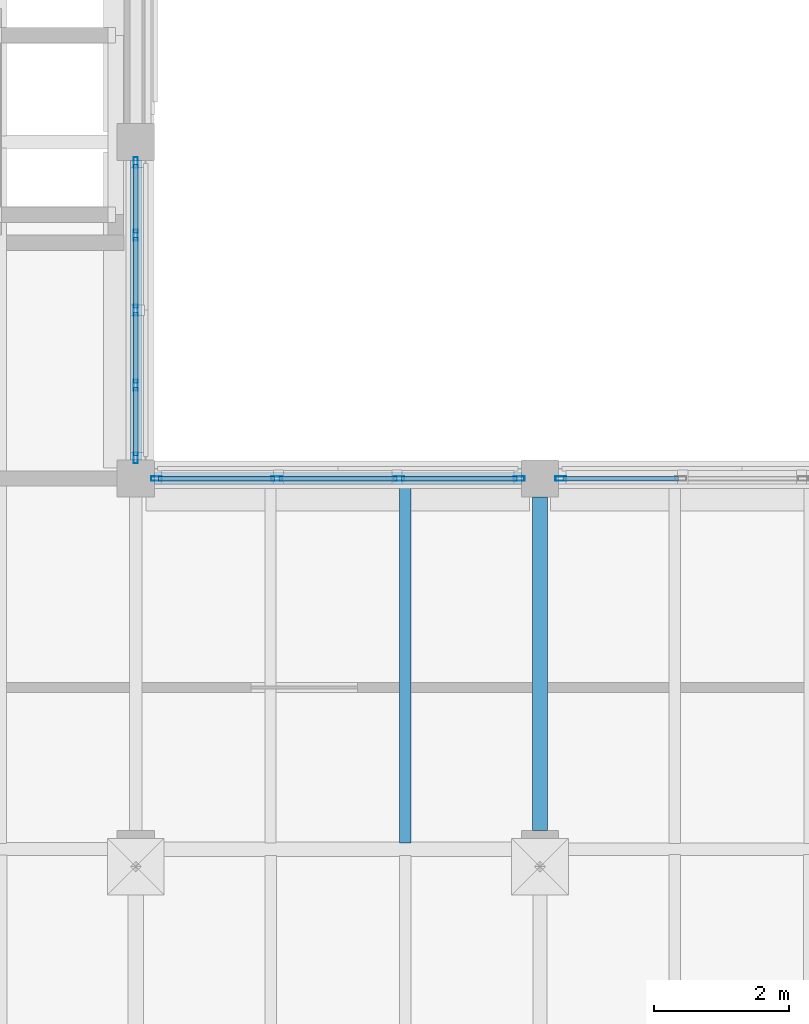
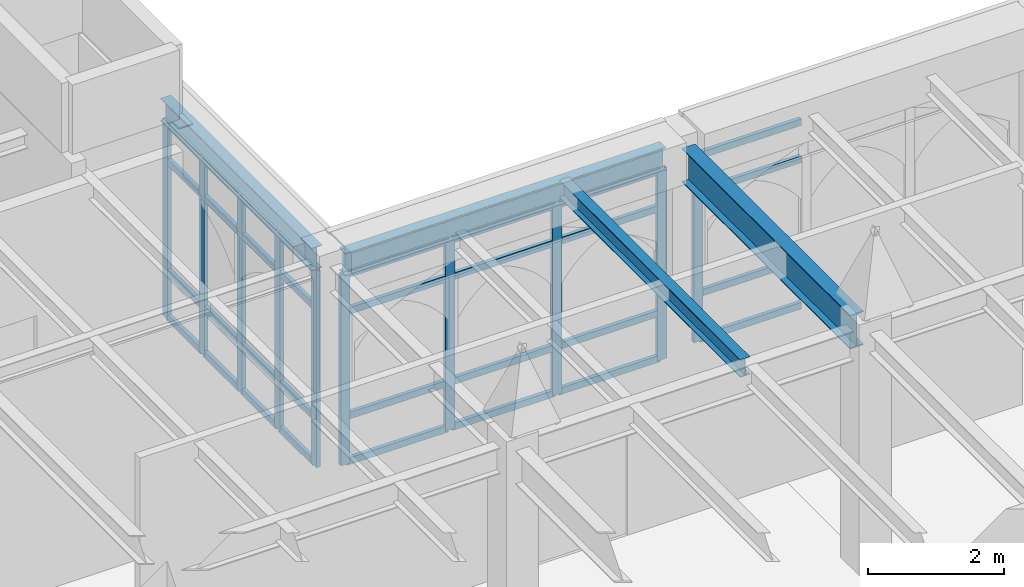
# One storey, part 20 of 108: 42 members, 4 beams, 3 elements without a shape of their own.
"""IFC4 building model written with IfcOpenShell, lengths in metres."""

from ifc_helpers import new_model, si_unit, direction, frame, origin, origin_2d, place, context, subcontext, project, spatial, hollow_rectangle, i_section, extrude, material, layer, layer_set, material_profile, profile_set, type_object, element, aggregate, save


model = new_model("IFC4")

# Units and contexts
model_context = context("Model", 3, precision=1e-05, world=origin(), true_north=direction((0.0, 1.0)))
body_context = subcontext(model_context, "Body", "Model", "MODEL_VIEW")
ifc_project = project(units=[si_unit("LENGTHUNIT", "METRE"), si_unit("AREAUNIT", "SQUARE_METRE"), si_unit("VOLUMEUNIT", "CUBIC_METRE"), si_unit("PLANEANGLEUNIT", "RADIAN"), si_unit("MASSUNIT", "GRAM", prefix="KILO")], contexts=[model_context])

# Site, building, storey
site_placement = place(None, origin())
site = spatial("IfcSite", under=ifc_project, at=site_placement, CompositionType="ELEMENT")
building_placement = place(site_placement, origin())
building = spatial("IfcBuilding", under=site, at=building_placement, Name="Cumevento Cable Car Station", CompositionType="ELEMENT")
storey_placement = place(building_placement, frame((0.0, 0.0, 13.5)))
storey = spatial("IfcBuildingStorey", under=building, at=storey_placement, Name="L04", CompositionType="ELEMENT", Elevation=13.5)

# Curtain wall, members
ifc_material_1 = material(Name="Anodised Bronze Aluminium AW-6063-T6", Category="aluminium")
ifc_layer_1 = layer(ifc_material_1, 0.238037109375)
ifc_layer_set_1 = layer_set([ifc_layer_1], Name="Anodised Bronze Aluminium AW-6063-T6")
curtain_wall_type_1 = type_object("IfcCurtainWallType", Name="Lancet Curtain Wall CW-14 1570", PredefinedType="NOTDEFINED", material=ifc_layer_set_1)
curtain_wall_1_placement = place(storey_placement, origin())
curtain_wall_1 = element("IfcCurtainWall", 1, at=curtain_wall_1_placement, inside=storey, type_object=curtain_wall_type_1, Name="Lancet Curtain Wall CW-14 L04 #157", PredefinedType="NOTDEFINED")
ifc_material_2 = material(Name="Anodised Bronze Aluminium AW-6063-T6", Category="aluminium")
ifc_material_profile_1 = material_profile(ifc_material_2, hollow_rectangle(XDim=0.06494140625, YDim=0.159912109375, WallThickness=0.00390625, at=origin_2d()), Name="ALUM65x160x4")
ifc_profile_set_1 = profile_set([ifc_material_profile_1], Name="Anodised Bronze Aluminium AW-6063-T6")
member_type_1 = type_object("IfcMemberType", Name="Curtain Mullion CWM-01 ALUM65x160x4", PredefinedType="MULLION", material=ifc_profile_set_1)
member_1_placement = place(storey_placement, frame((34.3076171875, 56.5, 0.409912109375), z_axis=(0.0, 0.0, 1.0), x_axis=(0.0, 1.0, 0.0)))
member_1 = element("IfcMember", 2, at=member_1_placement, type_object=member_type_1, Name="CW-14 mullion 1", PredefinedType="MULLION", context=body_context, shape_type="SweptSolid", body=[
    extrude(hollow_rectangle(XDim=0.06494140625, YDim=0.159912109375, WallThickness=0.00390625, at=origin_2d()), origin(), (0.0, 0.0, 1.0), 3.43310546875),
])
member_2_placement = place(storey_placement, frame((36.091552734375, 56.5, 0.409912109375), z_axis=(0.0, 0.0, 1.0), x_axis=(0.0, 1.0, 0.0)))
member_2 = element("IfcMember", 3, at=member_2_placement, type_object=member_type_1, Name="CW-14 mullion 2", PredefinedType="MULLION", context=body_context, shape_type="SweptSolid", body=[
    extrude(hollow_rectangle(XDim=0.06494140625, YDim=0.159912109375, WallThickness=0.00390625, at=origin_2d()), origin(), (0.0, 0.0, 1.0), 3.43310546875),
])
member_3_placement = place(storey_placement, frame((37.908447265625, 56.5, 0.409912109375), z_axis=(0.0, 0.0, 1.0), x_axis=(0.0, 1.0, 0.0)))
member_3 = element("IfcMember", 4, at=member_3_placement, type_object=member_type_1, Name="CW-14 mullion 3", PredefinedType="MULLION", context=body_context, shape_type="SweptSolid", body=[
    extrude(hollow_rectangle(XDim=0.06494140625, YDim=0.159912109375, WallThickness=0.00390625, at=origin_2d()), origin(), (0.0, 0.0, 1.0), 3.43310546875),
])
member_4_placement = place(storey_placement, frame((39.6923828125, 56.5, 0.409912109375), z_axis=(0.0, 0.0, 1.0), x_axis=(0.0, 1.0, 0.0)))
member_4 = element("IfcMember", 5, at=member_4_placement, type_object=member_type_1, Name="CW-14 mullion 4", PredefinedType="MULLION", context=body_context, shape_type="SweptSolid", body=[
    extrude(hollow_rectangle(XDim=0.06494140625, YDim=0.159912109375, WallThickness=0.00390625, at=origin_2d()), origin(), (0.0, 0.0, 1.0), 3.43310546875),
])

# Curtain wall, member
ifc_material_3 = material(Name="Anodised Bronze Aluminium AW-6063-T6", Category="aluminium")
ifc_layer_2 = layer(ifc_material_3, 0.25)
ifc_layer_set_2 = layer_set([ifc_layer_2], Name="Anodised Bronze Aluminium AW-6063-T6")
curtain_wall_type_2 = type_object("IfcCurtainWallType", Name="Lancet Curtain Wall CW-16 1650", PredefinedType="NOTDEFINED", material=ifc_layer_set_2)
curtain_wall_2_placement = place(storey_placement, origin())
curtain_wall_2 = element("IfcCurtainWall", 6, at=curtain_wall_2_placement, inside=storey, type_object=curtain_wall_type_2, Name="Lancet Curtain Wall CW-16 L04 #159", PredefinedType="NOTDEFINED")
member_5_placement = place(storey_placement, frame((40.3076171875, 56.5, 0.52001953125), z_axis=(0.0, 0.0, 1.0), x_axis=(0.0, 1.0, 0.0)))
member_5 = element("IfcMember", 7, at=member_5_placement, type_object=member_type_1, Name="CW-16 mullion 1", PredefinedType="MULLION", context=body_context, shape_type="SweptSolid", body=[
    extrude(hollow_rectangle(XDim=0.06494140625, YDim=0.159912109375, WallThickness=0.00390625, at=origin_2d()), origin(), (0.0, 0.0, 1.0), 3.361083984375),
])

# Curtain wall, members
ifc_material_4 = material(Name="Anodised Bronze Aluminium AW-6063-T6", Category="aluminium")
ifc_layer_3 = layer(ifc_material_4, 0.177978515625)
ifc_layer_set_3 = layer_set([ifc_layer_3], Name="Anodised Bronze Aluminium AW-6063-T6")
curtain_wall_type_3 = type_object("IfcCurtainWallType", Name="Lancet Curtain Wall CW-04 1170", PredefinedType="NOTDEFINED", material=ifc_layer_set_3)
curtain_wall_3_placement = place(storey_placement, origin())
curtain_wall_3 = element("IfcCurtainWall", 8, at=curtain_wall_3_placement, inside=storey, type_object=curtain_wall_type_3, Name="Lancet Curtain Wall CW-04 L04 #163", PredefinedType="NOTDEFINED")
member_6_placement = place(storey_placement, frame((34.0, 61.1923828125, 0.31005859375), z_axis=(0.0, 0.0, 1.0), x_axis=(1.0, 0.0, 0.0)))
member_6 = element("IfcMember", 9, at=member_6_placement, type_object=member_type_1, Name="CW-04 mullion 1", PredefinedType="MULLION", context=body_context, shape_type="SweptSolid", body=[
    extrude(hollow_rectangle(XDim=0.06494140625, YDim=0.159912109375, WallThickness=0.00390625, at=origin_2d()), origin(), (0.0, 0.0, 1.0), 3.532958984375),
])
member_7_placement = place(storey_placement, frame((34.0, 60.112548828125, 0.31005859375), z_axis=(0.0, 0.0, 1.0), x_axis=(1.0, 0.0, 0.0)))
member_7 = element("IfcMember", 10, at=member_7_placement, type_object=member_type_1, Name="CW-04 mullion 2", PredefinedType="MULLION", context=body_context, shape_type="SweptSolid", body=[
    extrude(hollow_rectangle(XDim=0.06494140625, YDim=0.159912109375, WallThickness=0.00390625, at=origin_2d()), origin(), (0.0, 0.0, 1.0), 3.532958984375),
])
member_8_placement = place(storey_placement, frame((34.0, 59.0, 0.31005859375), z_axis=(0.0, 0.0, 1.0), x_axis=(1.0, 0.0, 0.0)))
member_8 = element("IfcMember", 11, at=member_8_placement, type_object=member_type_1, Name="CW-04 mullion 3", PredefinedType="MULLION", context=body_context, shape_type="SweptSolid", body=[
    extrude(hollow_rectangle(XDim=0.06494140625, YDim=0.159912109375, WallThickness=0.00390625, at=origin_2d()), origin(), (0.0, 0.0, 1.0), 3.532958984375),
])
member_9_placement = place(storey_placement, frame((34.0, 57.887451171875, 0.31005859375), z_axis=(0.0, 0.0, 1.0), x_axis=(1.0, 0.0, 0.0)))
member_9 = element("IfcMember", 12, at=member_9_placement, type_object=member_type_1, Name="CW-04 mullion 4", PredefinedType="MULLION", context=body_context, shape_type="SweptSolid", body=[
    extrude(hollow_rectangle(XDim=0.06494140625, YDim=0.159912109375, WallThickness=0.00390625, at=origin_2d()), origin(), (0.0, 0.0, 1.0), 3.532958984375),
])
member_10_placement = place(storey_placement, frame((34.0, 56.8076171875, 0.31005859375), z_axis=(0.0, 0.0, 1.0), x_axis=(1.0, 0.0, 0.0)))
member_10 = element("IfcMember", 13, at=member_10_placement, type_object=member_type_1, Name="CW-04 mullion 5", PredefinedType="MULLION", context=body_context, shape_type="SweptSolid", body=[
    extrude(hollow_rectangle(XDim=0.06494140625, YDim=0.159912109375, WallThickness=0.00390625, at=origin_2d()), origin(), (0.0, 0.0, 1.0), 3.532958984375),
])

# Member
ifc_material_5 = material(Name="Anodised Bronze Aluminium AW-6063-T6", Category="aluminium")
ifc_material_profile_2 = material_profile(ifc_material_5, hollow_rectangle(XDim=0.06494140625, YDim=0.1201171875, WallThickness=0.00390625, at=origin_2d()), Name="ALUT65x120x4")
ifc_profile_set_2 = profile_set([ifc_material_profile_2], Name="Anodised Bronze Aluminium AW-6063-T6")
member_type_2 = type_object("IfcMemberType", Name="Curtain Transom CWT-01 ALUT65x120x4", PredefinedType="USERDEFINED", material=ifc_profile_set_2)
member_11_placement = place(storey_placement, frame((34.340087890625, 56.5, 0.4423828125), z_axis=(1.0, 0.0, 0.0), x_axis=(0.0, 1.0, 0.0)))
member_11 = element("IfcMember", 14, at=member_11_placement, type_object=member_type_2, Name="CW-14 transom 1.1", ObjectType="TRANSOM", PredefinedType="USERDEFINED", context=body_context, shape_type="SweptSolid", body=[
    extrude(hollow_rectangle(XDim=0.06494140625, YDim=0.1201171875, WallThickness=0.00390625, at=origin_2d()), origin(), (0.0, 0.0, 1.0), 1.718994140625),
])

member_12_placement = place(storey_placement, frame((34.340087890625, 56.5, 1.260009765625), z_axis=(1.0, 0.0, 0.0), x_axis=(0.0, 1.0, 0.0)))
member_12 = element("IfcMember", 15, at=member_12_placement, type_object=member_type_2, Name="CW-14 transom 1.2", ObjectType="TRANSOM", PredefinedType="USERDEFINED", context=body_context, shape_type="SweptSolid", body=[
    extrude(hollow_rectangle(XDim=0.06494140625, YDim=0.1201171875, WallThickness=0.00390625, at=origin_2d()), origin(), (0.0, 0.0, 1.0), 1.718994140625),
])

member_13_placement = place(storey_placement, frame((34.340087890625, 56.5, 3.14306640625), z_axis=(1.0, 0.0, 0.0), x_axis=(0.0, 1.0, 0.0)))
member_13 = element("IfcMember", 16, at=member_13_placement, type_object=member_type_2, Name="CW-14 transom 1.3", ObjectType="TRANSOM", PredefinedType="USERDEFINED", context=body_context, shape_type="SweptSolid", body=[
    extrude(hollow_rectangle(XDim=0.06494140625, YDim=0.1201171875, WallThickness=0.00390625, at=origin_2d()), origin(), (0.0, 0.0, 1.0), 1.718994140625),
])

member_14_placement = place(storey_placement, frame((34.340087890625, 56.5, 3.810546875), z_axis=(1.0, 0.0, 0.0), x_axis=(0.0, 1.0, 0.0)))
member_14 = element("IfcMember", 17, at=member_14_placement, type_object=member_type_2, Name="CW-14 transom 1.4", ObjectType="TRANSOM", PredefinedType="USERDEFINED", context=body_context, shape_type="SweptSolid", body=[
    extrude(hollow_rectangle(XDim=0.06494140625, YDim=0.1201171875, WallThickness=0.00390625, at=origin_2d()), origin(), (0.0, 0.0, 1.0), 1.718994140625),
])

member_15_placement = place(storey_placement, frame((36.124267578125, 56.5, 0.4423828125), z_axis=(1.0, 0.0, 0.0), x_axis=(0.0, 1.0, 0.0)))
member_15 = element("IfcMember", 18, at=member_15_placement, type_object=member_type_2, Name="CW-14 transom 2.1", ObjectType="TRANSOM", PredefinedType="USERDEFINED", context=body_context, shape_type="SweptSolid", body=[
    extrude(hollow_rectangle(XDim=0.06494140625, YDim=0.1201171875, WallThickness=0.00390625, at=origin_2d()), origin(), (0.0, 0.0, 1.0), 1.75146484375),
])

member_16_placement = place(storey_placement, frame((36.124267578125, 56.5, 1.260009765625), z_axis=(1.0, 0.0, 0.0), x_axis=(0.0, 1.0, 0.0)))
member_16 = element("IfcMember", 19, at=member_16_placement, type_object=member_type_2, Name="CW-14 transom 2.2", ObjectType="TRANSOM", PredefinedType="USERDEFINED", context=body_context, shape_type="SweptSolid", body=[
    extrude(hollow_rectangle(XDim=0.06494140625, YDim=0.1201171875, WallThickness=0.00390625, at=origin_2d()), origin(), (0.0, 0.0, 1.0), 1.75146484375),
])

member_17_placement = place(storey_placement, frame((36.124267578125, 56.5, 3.14306640625), z_axis=(1.0, 0.0, 0.0), x_axis=(0.0, 1.0, 0.0)))
member_17 = element("IfcMember", 20, at=member_17_placement, type_object=member_type_2, Name="CW-14 transom 2.3", ObjectType="TRANSOM", PredefinedType="USERDEFINED", context=body_context, shape_type="SweptSolid", body=[
    extrude(hollow_rectangle(XDim=0.06494140625, YDim=0.1201171875, WallThickness=0.00390625, at=origin_2d()), origin(), (0.0, 0.0, 1.0), 1.75146484375),
])

member_18_placement = place(storey_placement, frame((36.124267578125, 56.5, 3.810546875), z_axis=(1.0, 0.0, 0.0), x_axis=(0.0, 1.0, 0.0)))
member_18 = element("IfcMember", 21, at=member_18_placement, type_object=member_type_2, Name="CW-14 transom 2.4", ObjectType="TRANSOM", PredefinedType="USERDEFINED", context=body_context, shape_type="SweptSolid", body=[
    extrude(hollow_rectangle(XDim=0.06494140625, YDim=0.1201171875, WallThickness=0.00390625, at=origin_2d()), origin(), (0.0, 0.0, 1.0), 1.75146484375),
])

member_19_placement = place(storey_placement, frame((37.94091796875, 56.5, 0.4423828125), z_axis=(1.0, 0.0, 0.0), x_axis=(0.0, 1.0, 0.0)))
member_19 = element("IfcMember", 22, at=member_19_placement, type_object=member_type_2, Name="CW-14 transom 3.1", ObjectType="TRANSOM", PredefinedType="USERDEFINED", context=body_context, shape_type="SweptSolid", body=[
    extrude(hollow_rectangle(XDim=0.06494140625, YDim=0.1201171875, WallThickness=0.00390625, at=origin_2d()), origin(), (0.0, 0.0, 1.0), 1.718994140625),
])

member_20_placement = place(storey_placement, frame((37.94091796875, 56.5, 1.260009765625), z_axis=(1.0, 0.0, 0.0), x_axis=(0.0, 1.0, 0.0)))
member_20 = element("IfcMember", 23, at=member_20_placement, type_object=member_type_2, Name="CW-14 transom 3.2", ObjectType="TRANSOM", PredefinedType="USERDEFINED", context=body_context, shape_type="SweptSolid", body=[
    extrude(hollow_rectangle(XDim=0.06494140625, YDim=0.1201171875, WallThickness=0.00390625, at=origin_2d()), origin(), (0.0, 0.0, 1.0), 1.718994140625),
])

member_21_placement = place(storey_placement, frame((37.94091796875, 56.5, 3.14306640625), z_axis=(1.0, 0.0, 0.0), x_axis=(0.0, 1.0, 0.0)))
member_21 = element("IfcMember", 24, at=member_21_placement, type_object=member_type_2, Name="CW-14 transom 3.3", ObjectType="TRANSOM", PredefinedType="USERDEFINED", context=body_context, shape_type="SweptSolid", body=[
    extrude(hollow_rectangle(XDim=0.06494140625, YDim=0.1201171875, WallThickness=0.00390625, at=origin_2d()), origin(), (0.0, 0.0, 1.0), 1.718994140625),
])

member_22_placement = place(storey_placement, frame((37.94091796875, 56.5, 3.810546875), z_axis=(1.0, 0.0, 0.0), x_axis=(0.0, 1.0, 0.0)))
member_22 = element("IfcMember", 25, at=member_22_placement, type_object=member_type_2, Name="CW-14 transom 3.4", ObjectType="TRANSOM", PredefinedType="USERDEFINED", context=body_context, shape_type="SweptSolid", body=[
    extrude(hollow_rectangle(XDim=0.06494140625, YDim=0.1201171875, WallThickness=0.00390625, at=origin_2d()), origin(), (0.0, 0.0, 1.0), 1.718994140625),
])

aggregate(curtain_wall_1, [member_1, member_2, member_3, member_4, member_11, member_12, member_13, member_14, member_15, member_16, member_17, member_18, member_19, member_20, member_21, member_22])

member_23_placement = place(storey_placement, frame((40.340087890625, 56.5, 0.552490234375), z_axis=(1.0, 0.0, 0.0), x_axis=(0.0, 1.0, 0.0)))
member_23 = element("IfcMember", 26, at=member_23_placement, type_object=member_type_2, Name="CW-16 transom 1.1", ObjectType="TRANSOM", PredefinedType="USERDEFINED", context=body_context, shape_type="SweptSolid", body=[
    extrude(hollow_rectangle(XDim=0.06494140625, YDim=0.1201171875, WallThickness=0.00390625, at=origin_2d()), origin(), (0.0, 0.0, 1.0), 1.718994140625),
])

member_24_placement = place(storey_placement, frame((40.340087890625, 56.5, 1.3701171875), z_axis=(1.0, 0.0, 0.0), x_axis=(0.0, 1.0, 0.0)))
member_24 = element("IfcMember", 27, at=member_24_placement, type_object=member_type_2, Name="CW-16 transom 1.2", ObjectType="TRANSOM", PredefinedType="USERDEFINED", context=body_context, shape_type="SweptSolid", body=[
    extrude(hollow_rectangle(XDim=0.06494140625, YDim=0.1201171875, WallThickness=0.00390625, at=origin_2d()), origin(), (0.0, 0.0, 1.0), 1.718994140625),
])

member_25_placement = place(storey_placement, frame((40.340087890625, 56.5, 3.180908203125), z_axis=(1.0, 0.0, 0.0), x_axis=(0.0, 1.0, 0.0)))
member_25 = element("IfcMember", 28, at=member_25_placement, type_object=member_type_2, Name="CW-16 transom 1.3", ObjectType="TRANSOM", PredefinedType="USERDEFINED", context=body_context, shape_type="SweptSolid", body=[
    extrude(hollow_rectangle(XDim=0.06494140625, YDim=0.1201171875, WallThickness=0.00390625, at=origin_2d()), origin(), (0.0, 0.0, 1.0), 1.718994140625),
])

member_26_placement = place(storey_placement, frame((40.340087890625, 56.5, 3.848388671875), z_axis=(1.0, 0.0, 0.0), x_axis=(0.0, 1.0, 0.0)))
member_26 = element("IfcMember", 29, at=member_26_placement, type_object=member_type_2, Name="CW-16 transom 1.4", ObjectType="TRANSOM", PredefinedType="USERDEFINED", context=body_context, shape_type="SweptSolid", body=[
    extrude(hollow_rectangle(XDim=0.06494140625, YDim=0.1201171875, WallThickness=0.00390625, at=origin_2d()), origin(), (0.0, 0.0, 1.0), 1.718994140625),
])

aggregate(curtain_wall_2, [member_5, member_23, member_24, member_25, member_26])

member_27_placement = place(storey_placement, frame((34.0, 61.159912109375, 0.342529296875), z_axis=(0.0, -1.0, 0.0), x_axis=(1.0, 0.0, 0.0)))
member_27 = element("IfcMember", 30, at=member_27_placement, type_object=member_type_2, Name="CW-04 transom 1.1", ObjectType="TRANSOM", PredefinedType="USERDEFINED", context=body_context, shape_type="SweptSolid", body=[
    extrude(hollow_rectangle(XDim=0.06494140625, YDim=0.1201171875, WallThickness=0.00390625, at=origin_2d()), origin(), (0.0, 0.0, 1.0), 1.014892578125),
])

member_28_placement = place(storey_placement, frame((34.0, 61.159912109375, 1.159912109375), z_axis=(0.0, -1.0, 0.0), x_axis=(1.0, 0.0, 0.0)))
member_28 = element("IfcMember", 31, at=member_28_placement, type_object=member_type_2, Name="CW-04 transom 1.2", ObjectType="TRANSOM", PredefinedType="USERDEFINED", context=body_context, shape_type="SweptSolid", body=[
    extrude(hollow_rectangle(XDim=0.06494140625, YDim=0.1201171875, WallThickness=0.00390625, at=origin_2d()), origin(), (0.0, 0.0, 1.0), 1.014892578125),
])

member_29_placement = place(storey_placement, frame((34.0, 61.159912109375, 3.14306640625), z_axis=(0.0, -1.0, 0.0), x_axis=(1.0, 0.0, 0.0)))
member_29 = element("IfcMember", 32, at=member_29_placement, type_object=member_type_2, Name="CW-04 transom 1.3", ObjectType="TRANSOM", PredefinedType="USERDEFINED", context=body_context, shape_type="SweptSolid", body=[
    extrude(hollow_rectangle(XDim=0.06494140625, YDim=0.1201171875, WallThickness=0.00390625, at=origin_2d()), origin(), (0.0, 0.0, 1.0), 1.014892578125),
])

member_30_placement = place(storey_placement, frame((34.0, 61.159912109375, 3.810546875), z_axis=(0.0, -1.0, 0.0), x_axis=(1.0, 0.0, 0.0)))
member_30 = element("IfcMember", 33, at=member_30_placement, type_object=member_type_2, Name="CW-04 transom 1.4", ObjectType="TRANSOM", PredefinedType="USERDEFINED", context=body_context, shape_type="SweptSolid", body=[
    extrude(hollow_rectangle(XDim=0.06494140625, YDim=0.1201171875, WallThickness=0.00390625, at=origin_2d()), origin(), (0.0, 0.0, 1.0), 1.014892578125),
])

member_31_placement = place(storey_placement, frame((34.0, 60.080078125, 0.342529296875), z_axis=(0.0, -1.0, 0.0), x_axis=(1.0, 0.0, 0.0)))
member_31 = element("IfcMember", 34, at=member_31_placement, type_object=member_type_2, Name="CW-04 transom 2.1", ObjectType="TRANSOM", PredefinedType="USERDEFINED", context=body_context, shape_type="SweptSolid", body=[
    extrude(hollow_rectangle(XDim=0.06494140625, YDim=0.1201171875, WallThickness=0.00390625, at=origin_2d()), origin(), (0.0, 0.0, 1.0), 1.047607421875),
])

member_32_placement = place(storey_placement, frame((34.0, 60.080078125, 1.159912109375), z_axis=(0.0, -1.0, 0.0), x_axis=(1.0, 0.0, 0.0)))
member_32 = element("IfcMember", 35, at=member_32_placement, type_object=member_type_2, Name="CW-04 transom 2.2", ObjectType="TRANSOM", PredefinedType="USERDEFINED", context=body_context, shape_type="SweptSolid", body=[
    extrude(hollow_rectangle(XDim=0.06494140625, YDim=0.1201171875, WallThickness=0.00390625, at=origin_2d()), origin(), (0.0, 0.0, 1.0), 1.047607421875),
])

member_33_placement = place(storey_placement, frame((34.0, 60.080078125, 3.14306640625), z_axis=(0.0, -1.0, 0.0), x_axis=(1.0, 0.0, 0.0)))
member_33 = element("IfcMember", 36, at=member_33_placement, type_object=member_type_2, Name="CW-04 transom 2.3", ObjectType="TRANSOM", PredefinedType="USERDEFINED", context=body_context, shape_type="SweptSolid", body=[
    extrude(hollow_rectangle(XDim=0.06494140625, YDim=0.1201171875, WallThickness=0.00390625, at=origin_2d()), origin(), (0.0, 0.0, 1.0), 1.047607421875),
])

member_34_placement = place(storey_placement, frame((34.0, 60.080078125, 3.810546875), z_axis=(0.0, -1.0, 0.0), x_axis=(1.0, 0.0, 0.0)))
member_34 = element("IfcMember", 37, at=member_34_placement, type_object=member_type_2, Name="CW-04 transom 2.4", ObjectType="TRANSOM", PredefinedType="USERDEFINED", context=body_context, shape_type="SweptSolid", body=[
    extrude(hollow_rectangle(XDim=0.06494140625, YDim=0.1201171875, WallThickness=0.00390625, at=origin_2d()), origin(), (0.0, 0.0, 1.0), 1.047607421875),
])

member_35_placement = place(storey_placement, frame((34.0, 58.967529296875, 0.342529296875), z_axis=(0.0, -1.0, 0.0), x_axis=(1.0, 0.0, 0.0)))
member_35 = element("IfcMember", 38, at=member_35_placement, type_object=member_type_2, Name="CW-04 transom 3.1", ObjectType="TRANSOM", PredefinedType="USERDEFINED", context=body_context, shape_type="SweptSolid", body=[
    extrude(hollow_rectangle(XDim=0.06494140625, YDim=0.1201171875, WallThickness=0.00390625, at=origin_2d()), origin(), (0.0, 0.0, 1.0), 1.047607421875),
])

member_36_placement = place(storey_placement, frame((34.0, 58.967529296875, 1.159912109375), z_axis=(0.0, -1.0, 0.0), x_axis=(1.0, 0.0, 0.0)))
member_36 = element("IfcMember", 39, at=member_36_placement, type_object=member_type_2, Name="CW-04 transom 3.2", ObjectType="TRANSOM", PredefinedType="USERDEFINED", context=body_context, shape_type="SweptSolid", body=[
    extrude(hollow_rectangle(XDim=0.06494140625, YDim=0.1201171875, WallThickness=0.00390625, at=origin_2d()), origin(), (0.0, 0.0, 1.0), 1.047607421875),
])

member_37_placement = place(storey_placement, frame((34.0, 58.967529296875, 3.14306640625), z_axis=(0.0, -1.0, 0.0), x_axis=(1.0, 0.0, 0.0)))
member_37 = element("IfcMember", 40, at=member_37_placement, type_object=member_type_2, Name="CW-04 transom 3.3", ObjectType="TRANSOM", PredefinedType="USERDEFINED", context=body_context, shape_type="SweptSolid", body=[
    extrude(hollow_rectangle(XDim=0.06494140625, YDim=0.1201171875, WallThickness=0.00390625, at=origin_2d()), origin(), (0.0, 0.0, 1.0), 1.047607421875),
])

member_38_placement = place(storey_placement, frame((34.0, 58.967529296875, 3.810546875), z_axis=(0.0, -1.0, 0.0), x_axis=(1.0, 0.0, 0.0)))
member_38 = element("IfcMember", 41, at=member_38_placement, type_object=member_type_2, Name="CW-04 transom 3.4", ObjectType="TRANSOM", PredefinedType="USERDEFINED", context=body_context, shape_type="SweptSolid", body=[
    extrude(hollow_rectangle(XDim=0.06494140625, YDim=0.1201171875, WallThickness=0.00390625, at=origin_2d()), origin(), (0.0, 0.0, 1.0), 1.047607421875),
])

member_39_placement = place(storey_placement, frame((34.0, 57.85498046875, 0.342529296875), z_axis=(0.0, -1.0, 0.0), x_axis=(1.0, 0.0, 0.0)))
member_39 = element("IfcMember", 42, at=member_39_placement, type_object=member_type_2, Name="CW-04 transom 4.1", ObjectType="TRANSOM", PredefinedType="USERDEFINED", context=body_context, shape_type="SweptSolid", body=[
    extrude(hollow_rectangle(XDim=0.06494140625, YDim=0.1201171875, WallThickness=0.00390625, at=origin_2d()), origin(), (0.0, 0.0, 1.0), 1.014892578125),
])

member_40_placement = place(storey_placement, frame((34.0, 57.85498046875, 1.159912109375), z_axis=(0.0, -1.0, 0.0), x_axis=(1.0, 0.0, 0.0)))
member_40 = element("IfcMember", 43, at=member_40_placement, type_object=member_type_2, Name="CW-04 transom 4.2", ObjectType="TRANSOM", PredefinedType="USERDEFINED", context=body_context, shape_type="SweptSolid", body=[
    extrude(hollow_rectangle(XDim=0.06494140625, YDim=0.1201171875, WallThickness=0.00390625, at=origin_2d()), origin(), (0.0, 0.0, 1.0), 1.014892578125),
])

member_41_placement = place(storey_placement, frame((34.0, 57.85498046875, 3.14306640625), z_axis=(0.0, -1.0, 0.0), x_axis=(1.0, 0.0, 0.0)))
member_41 = element("IfcMember", 44, at=member_41_placement, type_object=member_type_2, Name="CW-04 transom 4.3", ObjectType="TRANSOM", PredefinedType="USERDEFINED", context=body_context, shape_type="SweptSolid", body=[
    extrude(hollow_rectangle(XDim=0.06494140625, YDim=0.1201171875, WallThickness=0.00390625, at=origin_2d()), origin(), (0.0, 0.0, 1.0), 1.014892578125),
])

member_42_placement = place(storey_placement, frame((34.0, 57.85498046875, 3.810546875), z_axis=(0.0, -1.0, 0.0), x_axis=(1.0, 0.0, 0.0)))
member_42 = element("IfcMember", 45, at=member_42_placement, type_object=member_type_2, Name="CW-04 transom 4.4", ObjectType="TRANSOM", PredefinedType="USERDEFINED", context=body_context, shape_type="SweptSolid", body=[
    extrude(hollow_rectangle(XDim=0.06494140625, YDim=0.1201171875, WallThickness=0.00390625, at=origin_2d()), origin(), (0.0, 0.0, 1.0), 1.014892578125),
])

aggregate(curtain_wall_3, [member_6, member_7, member_8, member_9, member_10, member_27, member_28, member_29, member_30, member_31, member_32, member_33, member_34, member_35, member_36, member_37, member_38, member_39, member_40, member_41, member_42])

# Beams
ifc_material_6 = material(Name="Steel ASTM A572 Grade 50", Category="steel")
ifc_material_profile_3 = material_profile(ifc_material_6, i_section(OverallWidth=0.22802734375, OverallDepth=0.60791015625, WebThickness=0.01123046875, FlangeThickness=0.017333984375, at=origin_2d()), Name="W610x113.0")
ifc_profile_set_3 = profile_set([ifc_material_profile_3], Name="Steel ASTM A572 Grade 50")
beam_type_1 = type_object("IfcBeamType", Name="Structural Beam BM-02 W610x113.0", PredefinedType="BEAM", material=ifc_profile_set_3)
beam_1_placement = place(storey_placement, frame((40.0, 51.27490234375, 3.98388671875), z_axis=(0.0, 1.0, 0.0), x_axis=(-1.0, 0.0, 0.0)))
element("IfcBeam", 46, at=beam_1_placement, inside=storey, type_object=beam_type_1, Name="Beam BM-02 L04 #1399", PredefinedType="BEAM", context=body_context, shape_type="SweptSolid", body=[
    extrude(i_section(OverallWidth=0.22802734375, OverallDepth=0.60791015625, WebThickness=0.01123046875, FlangeThickness=0.017333984375, at=origin_2d()), origin(), (0.0, 0.0, 1.0), 4.9501953125),
])
ifc_material_7 = material(Name="Steel ASTM A572 Grade 50", Category="steel")
ifc_material_profile_4 = material_profile(ifc_material_7, i_section(OverallWidth=0.1669921875, OverallDepth=0.31689453125, WebThickness=0.007568359375, FlangeThickness=0.01318359375, at=origin_2d()), Name="W310x52.0")
ifc_profile_set_4 = profile_set([ifc_material_profile_4], Name="Steel ASTM A572 Grade 50")
beam_type_2 = type_object("IfcBeamType", Name="Structural Joist JS-02 W310x52.0", PredefinedType="JOIST", material=ifc_profile_set_4)
beam_2_placement = place(storey_placement, frame((38.0, 51.093505859375, 4.12939453125), z_axis=(0.0, 1.0, 0.0), x_axis=(-1.0, 0.0, 0.0)))
element("IfcBeam", 47, at=beam_2_placement, inside=storey, type_object=beam_type_2, Name="Composite Floor Joist JS-02 L04 #1522", PredefinedType="JOIST", context=body_context, shape_type="SweptSolid", body=[
    extrude(i_section(OverallWidth=0.1669921875, OverallDepth=0.31689453125, WebThickness=0.007568359375, FlangeThickness=0.01318359375, at=origin_2d()), origin(), (0.0, 0.0, 1.0), 5.32958984375),
])
ifc_material_8 = material(Name="Steel ASTM A572 Grade 50", Category="steel")
ifc_material_profile_5 = material_profile(ifc_material_8, i_section(OverallWidth=0.177978515625, OverallDepth=0.406982421875, WebThickness=0.0078125, FlangeThickness=0.0126953125, at=origin_2d()), Name="W410x60.0")
ifc_profile_set_5 = profile_set([ifc_material_profile_5], Name="Steel ASTM A572 Grade 50")
beam_type_3 = type_object("IfcBeamType", Name="Structural Spandrel SP-01 W410x60.0", PredefinedType="SPANDREL", material=ifc_profile_set_5)
beam_3_placement = place(storey_placement, frame((34.27490234375, 56.5, 4.04638671875), z_axis=(1.0, 0.0, 0.0), x_axis=(0.0, 1.0, 0.0)))
element("IfcBeam", 48, at=beam_3_placement, inside=storey, type_object=beam_type_3, Name="Beam SP-01 L04 #1389", PredefinedType="SPANDREL", context=body_context, shape_type="SweptSolid", body=[
    extrude(i_section(OverallWidth=0.177978515625, OverallDepth=0.406982421875, WebThickness=0.0078125, FlangeThickness=0.0126953125, at=origin_2d()), origin(), (0.0, 0.0, 1.0), 5.4501953125),
])
beam_4_placement = place(storey_placement, frame((34.0, 56.77490234375, 4.04638671875), z_axis=(0.0, 1.0, 0.0), x_axis=(-1.0, 0.0, 0.0)))
element("IfcBeam", 49, at=beam_4_placement, inside=storey, type_object=beam_type_3, Name="Beam SP-01 L04 #1412", PredefinedType="SPANDREL", context=body_context, shape_type="SweptSolid", body=[
    extrude(i_section(OverallWidth=0.177978515625, OverallDepth=0.406982421875, WebThickness=0.0078125, FlangeThickness=0.0126953125, at=origin_2d()), origin(), (0.0, 0.0, 1.0), 4.4501953125),
])

save(model, "model.ifc")
